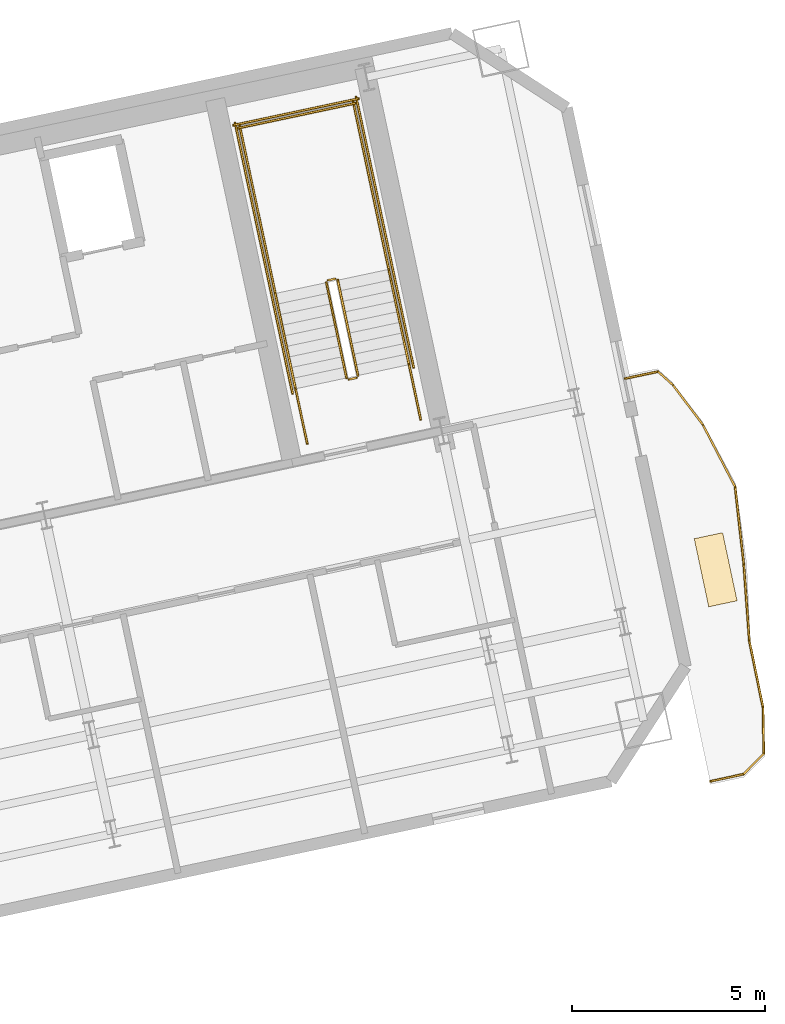
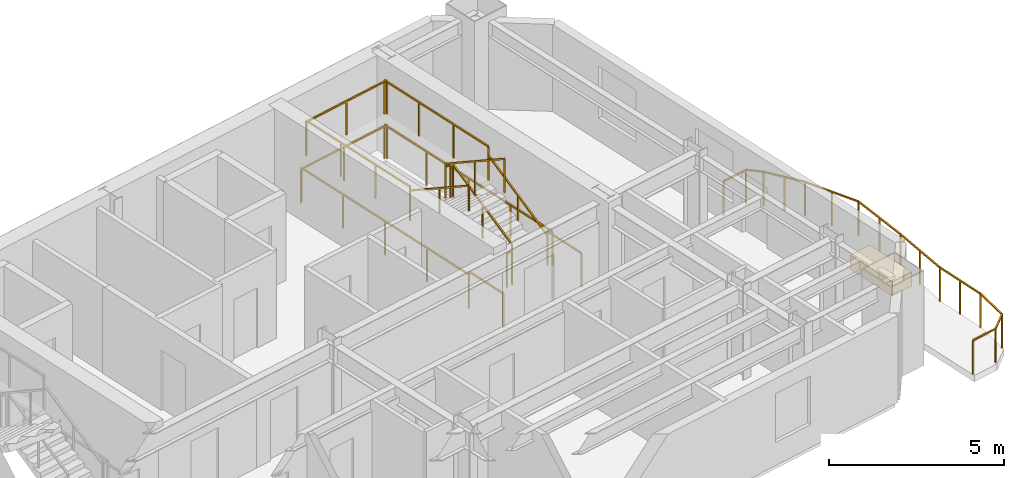
# One storey, part 13 of 13: 24 railings, 1 covering.
"""IFC4 building model written with IfcOpenShell, lengths in metres."""

from ifc_helpers import new_model, si_unit, direction, frame, origin, origin_2d, place, context, subcontext, project, spatial, rectangle, extrude, material, layer, layer_set, type_object, element, save


model = new_model("IFC4")

# Units and contexts
model_context = context("Model", 3, precision=1e-05, world=origin(), true_north=direction((0.0, 1.0)))
body_context = subcontext(model_context, "Body", "Model", "MODEL_VIEW")
ifc_project = project(units=[si_unit("LENGTHUNIT", "METRE"), si_unit("AREAUNIT", "SQUARE_METRE"), si_unit("VOLUMEUNIT", "CUBIC_METRE"), si_unit("PLANEANGLEUNIT", "RADIAN"), si_unit("MASSUNIT", "GRAM", prefix="KILO")], contexts=[model_context])

# Site, building, storey
site_placement = place(None, origin())
site = spatial("IfcSite", under=ifc_project, at=site_placement, CompositionType="ELEMENT")
building_placement = place(site_placement, origin())
building = spatial("IfcBuilding", under=site, at=building_placement, Name="Haevon Station Towers", CompositionType="ELEMENT")
storey_placement = place(building_placement, frame((0.0, 0.0, 182.39990234375)))
storey = spatial("IfcBuildingStorey", under=building, at=storey_placement, Name="L50", CompositionType="ELEMENT", Elevation=182.39990234375)

# Railings
ifc_material_1 = material(Name="Steel S355", Category="steel")
railing_type_1 = type_object("IfcRailingType", Name="GRD-EXT1200", PredefinedType="GUARDRAIL", material=ifc_material_1)
railing_1_placement = place(storey_placement, frame((126.252197265625, 32.750244140625, 0.0)))
element("IfcRailing", 1, at=railing_1_placement, inside=storey, type_object=railing_type_1, Name="L50 Perimeter Guardrail 1", PredefinedType="GUARDRAIL", context=body_context, shape_type="SweptSolid", body=[
    extrude(rectangle(XDim=0.048095703125, YDim=0.048095703125, at=origin_2d()), frame((0.0, 0.0, 1.17578125), z_axis=(0.977695451476, 0.210027627141, 0.0), x_axis=(-0.210027627141, 0.977695451476, 0.0)), (0.0, 0.0, 1.0), 0.869384765625),
    extrude(rectangle(XDim=0.0419921875, YDim=0.0419921875, at=origin_2d()), origin(), (0.0, 0.0, 1.0), 1.15185546875),
    extrude(rectangle(XDim=0.0419921875, YDim=0.0419921875, at=origin_2d()), frame((0.85009765625, 0.1826171875, 0.0)), (0.0, 0.0, 1.0), 1.15185546875),
])
railing_2_placement = place(storey_placement, frame((127.102294921875, 32.932861328125, 0.0)))
element("IfcRailing", 2, at=railing_2_placement, inside=storey, type_object=railing_type_1, Name="L50 Perimeter Guardrail 2", PredefinedType="GUARDRAIL", context=body_context, shape_type="SweptSolid", body=[
    extrude(rectangle(XDim=0.048095703125, YDim=0.048095703125, at=origin_2d()), frame((0.0, 0.0, 1.17578125), z_axis=(0.700012319638, 0.714130766985, 0.0), x_axis=(-0.714130766985, 0.700012319638, 0.0)), (0.0, 0.0, 1.0), 0.74365234375),
    extrude(rectangle(XDim=0.0419921875, YDim=0.0419921875, at=origin_2d()), origin(), (0.0, 0.0, 1.0), 1.15185546875),
    extrude(rectangle(XDim=0.0419921875, YDim=0.0419921875, at=origin_2d()), frame((0.5205078125, 0.531005859375, 0.0)), (0.0, 0.0, 1.0), 1.15185546875),
])
railing_3_placement = place(storey_placement, frame((127.622802734375, 33.4638671875, 0.0)))
element("IfcRailing", 3, at=railing_3_placement, inside=storey, type_object=railing_type_1, Name="L50 Perimeter Guardrail 3", PredefinedType="GUARDRAIL", context=body_context, shape_type="SweptSolid", body=[
    extrude(rectangle(XDim=0.048095703125, YDim=0.048095703125, at=origin_2d()), frame((0.0, 0.0, 1.17578125), z_axis=(-0.018435710778, 0.999830047842, 0.0), x_axis=(-0.999830047842, -0.018435710778, 0.0)), (0.0, 0.0, 1.0), 1.19189453125),
    extrude(rectangle(XDim=0.0419921875, YDim=0.0419921875, at=origin_2d()), origin(), (0.0, 0.0, 1.0), 1.15185546875),
    extrude(rectangle(XDim=0.0419921875, YDim=0.0419921875, at=origin_2d()), frame((-0.02197265625, 1.191650390625, 0.0)), (0.0, 0.0, 1.0), 1.15185546875),
])
railing_4_placement = place(storey_placement, frame((127.600830078125, 34.655517578125, 0.0)))
element("IfcRailing", 4, at=railing_4_placement, inside=storey, type_object=railing_type_1, Name="L50 Perimeter Guardrail 4", PredefinedType="GUARDRAIL", context=body_context, shape_type="SweptSolid", body=[
    extrude(rectangle(XDim=0.048095703125, YDim=0.048095703125, at=origin_2d()), frame((0.0, 0.0, 1.17578125), z_axis=(-0.20072790539, 0.979647032353, 0.0), x_axis=(-0.979647032353, -0.20072790539, 0.0)), (0.0, 0.0, 1.0), 1.750244140625),
    extrude(rectangle(XDim=0.0419921875, YDim=0.0419921875, at=origin_2d()), origin(), (0.0, 0.0, 1.0), 1.15185546875),
    extrude(rectangle(XDim=0.0419921875, YDim=0.0419921875, at=origin_2d()), frame((-0.17578125, 0.857421875, 0.0)), (0.0, 0.0, 1.0), 1.15185546875),
    extrude(rectangle(XDim=0.0419921875, YDim=0.0419921875, at=origin_2d()), frame((-0.351318359375, 1.714599609375, 0.0)), (0.0, 0.0, 1.0), 1.15185546875),
])
railing_5_placement = place(storey_placement, frame((127.24951171875, 36.3701171875, 0.0)))
element("IfcRailing", 5, at=railing_5_placement, inside=storey, type_object=railing_type_1, Name="L50 Perimeter Guardrail 5", PredefinedType="GUARDRAIL", context=body_context, shape_type="SweptSolid", body=[
    extrude(rectangle(XDim=0.048095703125, YDim=0.048095703125, at=origin_2d()), frame((0.0, 0.0, 1.17578125), z_axis=(-0.072724853204, 0.997352042022, 0.0), x_axis=(-0.997352042022, -0.072724853204, 0.0)), (0.0, 0.0, 1.0), 2.007568359375),
    extrude(rectangle(XDim=0.0419921875, YDim=0.0419921875, at=origin_2d()), origin(), (0.0, 0.0, 1.0), 1.15185546875),
    extrude(rectangle(XDim=0.0419921875, YDim=0.0419921875, at=origin_2d()), frame((-0.072998046875, 1.0009765625, 0.0)), (0.0, 0.0, 1.0), 1.15185546875),
    extrude(rectangle(XDim=0.0419921875, YDim=0.0419921875, at=origin_2d()), frame((-0.14599609375, 2.002197265625, 0.0)), (0.0, 0.0, 1.0), 1.15185546875),
])
railing_6_placement = place(storey_placement, frame((127.103515625, 38.372314453125, 0.0)))
element("IfcRailing", 6, at=railing_6_placement, inside=storey, type_object=railing_type_1, Name="L50 Perimeter Guardrail 6", PredefinedType="GUARDRAIL", context=body_context, shape_type="SweptSolid", body=[
    extrude(rectangle(XDim=0.048095703125, YDim=0.048095703125, at=origin_2d()), frame((0.0, 0.0, 1.17578125), z_axis=(-0.111367614102, 0.993779278577, 0.0), x_axis=(-0.993779278577, -0.111367614102, 0.0)), (0.0, 0.0, 1.0), 2.003662109375),
    extrude(rectangle(XDim=0.0419921875, YDim=0.0419921875, at=origin_2d()), origin(), (0.0, 0.0, 1.0), 1.15185546875),
    extrude(rectangle(XDim=0.0419921875, YDim=0.0419921875, at=origin_2d()), frame((-0.111572265625, 0.99560546875, 0.0)), (0.0, 0.0, 1.0), 1.15185546875),
    extrude(rectangle(XDim=0.0419921875, YDim=0.0419921875, at=origin_2d()), frame((-0.22314453125, 1.9912109375, 0.0)), (0.0, 0.0, 1.0), 1.15185546875),
])
railing_7_placement = place(storey_placement, frame((126.88037109375, 40.363525390625, 0.0)))
element("IfcRailing", 7, at=railing_7_placement, inside=storey, type_object=railing_type_1, Name="L50 Perimeter Guardrail 7", PredefinedType="GUARDRAIL", context=body_context, shape_type="SweptSolid", body=[
    extrude(rectangle(XDim=0.048095703125, YDim=0.048095703125, at=origin_2d()), frame((0.0, 0.0, 1.17578125), z_axis=(-0.460864300732, 0.887470617154, 0.0), x_axis=(-0.887470617154, -0.460864300732, 0.0)), (0.0, 0.0, 1.0), 1.81005859375),
    extrude(rectangle(XDim=0.0419921875, YDim=0.0419921875, at=origin_2d()), origin(), (0.0, 0.0, 1.0), 1.15185546875),
    extrude(rectangle(XDim=0.0419921875, YDim=0.0419921875, at=origin_2d()), frame((-0.4169921875, 0.80322265625, 0.0)), (0.0, 0.0, 1.0), 1.15185546875),
    extrude(rectangle(XDim=0.0419921875, YDim=0.0419921875, at=origin_2d()), frame((-0.834228515625, 1.6064453125, 0.0)), (0.0, 0.0, 1.0), 1.15185546875),
])
railing_8_placement = place(storey_placement, frame((126.046142578125, 41.969970703125, 0.0)))
element("IfcRailing", 8, at=railing_8_placement, inside=storey, type_object=railing_type_1, Name="L50 Perimeter Guardrail 8", PredefinedType="GUARDRAIL", context=body_context, shape_type="SweptSolid", body=[
    extrude(rectangle(XDim=0.048095703125, YDim=0.048095703125, at=origin_2d()), frame((0.0, 0.0, 1.17578125), z_axis=(-0.602597752791, 0.798045079135, 0.0), x_axis=(-0.798045079135, -0.602597752791, 0.0)), (0.0, 0.0, 1.0), 1.29150390625),
    extrude(rectangle(XDim=0.0419921875, YDim=0.0419921875, at=origin_2d()), origin(), (0.0, 0.0, 1.0), 1.15185546875),
    extrude(rectangle(XDim=0.0419921875, YDim=0.0419921875, at=origin_2d()), frame((-0.38916015625, 0.515380859375, 0.0)), (0.0, 0.0, 1.0), 1.15185546875),
    extrude(rectangle(XDim=0.0419921875, YDim=0.0419921875, at=origin_2d()), frame((-0.7783203125, 1.03076171875, 0.0)), (0.0, 0.0, 1.0), 1.15185546875),
])
railing_9_placement = place(storey_placement, frame((125.267822265625, 43.000732421875, 0.0)))
element("IfcRailing", 9, at=railing_9_placement, inside=storey, type_object=railing_type_1, Name="L50 Perimeter Guardrail 9", PredefinedType="GUARDRAIL", context=body_context, shape_type="SweptSolid", body=[
    extrude(rectangle(XDim=0.048095703125, YDim=0.048095703125, at=origin_2d()), frame((0.0, 0.0, 1.17578125), z_axis=(-0.743126923653, 0.669150487814, 0.0), x_axis=(-0.669150487814, -0.743126923653, 0.0)), (0.0, 0.0, 1.0), 0.50830078125),
    extrude(rectangle(XDim=0.0419921875, YDim=0.0419921875, at=origin_2d()), origin(), (0.0, 0.0, 1.0), 1.15185546875),
    extrude(rectangle(XDim=0.0419921875, YDim=0.0419921875, at=origin_2d()), frame((-0.377685546875, 0.340087890625, 0.0)), (0.0, 0.0, 1.0), 1.15185546875),
])
railing_10_placement = place(storey_placement, frame((124.89013671875, 43.3408203125, 0.0)))
element("IfcRailing", 10, at=railing_10_placement, inside=storey, type_object=railing_type_1, Name="L50 Perimeter Guardrail 10", PredefinedType="GUARDRAIL", context=body_context, shape_type="SweptSolid", body=[
    extrude(rectangle(XDim=0.048095703125, YDim=0.048095703125, at=origin_2d()), frame((0.0, 0.0, 1.17578125), z_axis=(-0.978588498747, -0.205826504901, 0.0), x_axis=(0.205826504901, -0.978588498747, 0.0)), (0.0, 0.0, 1.0), 0.869384765625),
    extrude(rectangle(XDim=0.0419921875, YDim=0.0419921875, at=origin_2d()), origin(), (0.0, 0.0, 1.0), 1.15185546875),
    extrude(rectangle(XDim=0.0419921875, YDim=0.0419921875, at=origin_2d()), frame((-0.850830078125, -0.178955078125, 0.0)), (0.0, 0.0, 1.0), 1.15185546875),
])
railing_type_2 = type_object("IfcRailingType", Name="GRD-STR1200", PredefinedType="GUARDRAIL", material=ifc_material_1)
railing_11_placement = place(storey_placement, frame((117.128662109375, 43.23974609375, 0.1650390625)))
element("IfcRailing", 11, at=railing_11_placement, inside=storey, type_object=railing_type_2, Name="L50 ST4 Stair Guard 1", PredefinedType="GUARDRAIL", context=body_context, shape_type="SweptSolid", body=[
    extrude(rectangle(XDim=0.048095703125, YDim=0.048095703125, at=origin_2d()), frame((0.0, 0.0, 1.17578125), z_axis=(-0.179121265225, 0.842687928106, 0.507732831485), x_axis=(-0.978147030254, -0.207914374695, 0.0)), (0.0, 0.0, 1.0), 2.925048828125),
    extrude(rectangle(XDim=0.0419921875, YDim=0.0419921875, at=origin_2d()), origin(), (0.0, 0.0, 1.0), 1.15185546875),
    extrude(rectangle(XDim=0.0419921875, YDim=0.0419921875, at=origin_2d()), frame((-0.261962890625, 1.232421875, 0.74267578125)), (0.0, 0.0, 1.0), 1.15185546875),
    extrude(rectangle(XDim=0.0419921875, YDim=0.0419921875, at=origin_2d()), frame((-0.52392578125, 2.46484375, 1.485107421875)), (0.0, 0.0, 1.0), 1.15185546875),
])
railing_12_placement = place(storey_placement, frame((116.54541015625, 45.7431640625, 1.650146484375)))
element("IfcRailing", 12, at=railing_12_placement, inside=storey, type_object=railing_type_2, Name="L50 ST4 Stair Guard 2", PredefinedType="GUARDRAIL", context=body_context, shape_type="SweptSolid", body=[
    extrude(rectangle(XDim=0.048095703125, YDim=0.048095703125, at=origin_2d()), frame((0.0, 0.0, 1.17578125), z_axis=(-0.97826412705, -0.207362720198, 0.0), x_axis=(0.207362720198, -0.97826412705, 0.0)), (0.0, 0.0, 1.0), 0.2001953125),
    extrude(rectangle(XDim=0.0419921875, YDim=0.0419921875, at=origin_2d()), origin(), (0.0, 0.0, 1.0), 1.15185546875),
    extrude(rectangle(XDim=0.0419921875, YDim=0.0419921875, at=origin_2d()), frame((-0.19580078125, -0.04150390625, 0.0)), (0.0, 0.0, 1.0), 1.15185546875),
])
railing_13_placement = place(storey_placement, frame((117.925048828125, 45.9853515625, 1.650146484375)))
element("IfcRailing", 13, at=railing_13_placement, inside=storey, type_object=railing_type_2, Name="L50 ST4 Stair Guard 3", PredefinedType="GUARDRAIL", context=body_context, shape_type="SweptSolid", body=[
    extrude(rectangle(XDim=0.048095703125, YDim=0.048095703125, at=origin_2d()), frame((0.0, 0.0, 1.17578125), z_axis=(-0.207876551949, 0.978155069071, 0.0), x_axis=(-0.978155069071, -0.207876551949, 0.0)), (0.0, 0.0, 1.0), 4.429931640625),
    extrude(rectangle(XDim=0.0419921875, YDim=0.0419921875, at=origin_2d()), origin(), (0.0, 0.0, 1.0), 1.15185546875),
    extrude(rectangle(XDim=0.0419921875, YDim=0.0419921875, at=origin_2d()), frame((-0.306884765625, 1.4443359375, 0.0)), (0.0, 0.0, 1.0), 1.15185546875),
    extrude(rectangle(XDim=0.0419921875, YDim=0.0419921875, at=origin_2d()), frame((-0.614013671875, 2.888916015625, 0.0)), (0.0, 0.0, 1.0), 1.15185546875),
    extrude(rectangle(XDim=0.0419921875, YDim=0.0419921875, at=origin_2d()), frame((-0.9208984375, 4.333251953125, 0.0)), (0.0, 0.0, 1.0), 1.15185546875),
])
railing_14_placement = place(storey_placement, frame((114.99072265625, 45.361572265625, 1.650146484375)))
element("IfcRailing", 14, at=railing_14_placement, inside=storey, type_object=railing_type_2, Name="L50 ST4 Stair Guard 4", PredefinedType="GUARDRAIL", context=body_context, shape_type="SweptSolid", body=[
    extrude(rectangle(XDim=0.048095703125, YDim=0.048095703125, at=origin_2d()), frame((0.0, 0.0, 1.17578125), z_axis=(-0.207929280007, 0.978143861871, 0.0), x_axis=(-0.978143861871, -0.207929280007, 0.0)), (0.0, 0.0, 1.0), 4.43017578125),
    extrude(rectangle(XDim=0.0419921875, YDim=0.0419921875, at=origin_2d()), origin(), (0.0, 0.0, 1.0), 1.15185546875),
    extrude(rectangle(XDim=0.0419921875, YDim=0.0419921875, at=origin_2d()), frame((-0.30712890625, 1.4443359375, 0.0)), (0.0, 0.0, 1.0), 1.15185546875),
    extrude(rectangle(XDim=0.0419921875, YDim=0.0419921875, at=origin_2d()), frame((-0.614013671875, 2.888916015625, 0.0)), (0.0, 0.0, 1.0), 1.15185546875),
    extrude(rectangle(XDim=0.0419921875, YDim=0.0419921875, at=origin_2d()), frame((-0.921142578125, 4.333251953125, 0.0)), (0.0, 0.0, 1.0), 1.15185546875),
])
railing_15_placement = place(storey_placement, frame((117.0634765625, 50.280029296875, 1.650146484375)))
element("IfcRailing", 15, at=railing_15_placement, inside=storey, type_object=railing_type_2, Name="L50 ST4 Stair Guard 5", PredefinedType="GUARDRAIL", context=body_context, shape_type="SweptSolid", body=[
    extrude(rectangle(XDim=0.048095703125, YDim=0.048095703125, at=origin_2d()), frame((0.0, 0.0, 1.17578125), z_axis=(-0.978146839882, -0.207915270313, 0.0), x_axis=(0.207915270313, -0.978146839882, 0.0)), (0.0, 0.0, 1.0), 3.099853515625),
    extrude(rectangle(XDim=0.0419921875, YDim=0.0419921875, at=origin_2d()), origin(), (0.0, 0.0, 1.0), 1.15185546875),
    extrude(rectangle(XDim=0.0419921875, YDim=0.0419921875, at=origin_2d()), frame((-1.51611328125, -0.322265625, 0.0)), (0.0, 0.0, 1.0), 1.15185546875),
    extrude(rectangle(XDim=0.0419921875, YDim=0.0419921875, at=origin_2d()), frame((-3.0322265625, -0.64453125, 0.0)), (0.0, 0.0, 1.0), 1.15185546875),
])
railing_16_placement = place(storey_placement, frame((116.311279296875, 45.642333984375, 1.815185546875)))
element("IfcRailing", 16, at=railing_16_placement, inside=storey, type_object=railing_type_2, Name="L50 ST4 Stair Guard 6", PredefinedType="GUARDRAIL", context=body_context, shape_type="SweptSolid", body=[
    extrude(rectangle(XDim=0.048095703125, YDim=0.048095703125, at=origin_2d()), frame((0.0, 0.0, 1.17578125), z_axis=(0.179116256339, -0.842747828638, 0.507635168246), x_axis=(0.978151217824, 0.207894673017, 0.0)), (0.0, 0.0, 1.0), 2.925048828125),
    extrude(rectangle(XDim=0.0419921875, YDim=0.0419921875, at=origin_2d()), origin(), (0.0, 0.0, 1.0), 1.15185546875),
    extrude(rectangle(XDim=0.0419921875, YDim=0.0419921875, at=origin_2d()), frame((0.261962890625, -1.232421875, 0.742431640625)), (0.0, 0.0, 1.0), 1.15185546875),
    extrude(rectangle(XDim=0.0419921875, YDim=0.0419921875, at=origin_2d()), frame((0.52392578125, -2.465087890625, 1.48486328125)), (0.0, 0.0, 1.0), 1.15185546875),
])
railing_17_placement = place(storey_placement, frame((117.090087890625, 43.180419921875, 0.0)))
element("IfcRailing", 17, at=railing_17_placement, inside=storey, type_object=railing_type_2, Name="L50 ST4 Stair Guard 7", PredefinedType="GUARDRAIL", context=body_context, shape_type="SweptSolid", body=[
    extrude(rectangle(XDim=0.048095703125, YDim=0.048095703125, at=origin_2d()), frame((0.0, 0.0, 1.17578125), z_axis=(-0.978211583308, -0.207610448392, 0.0), x_axis=(0.207610448392, -0.978211583308, 0.0)), (0.0, 0.0, 1.0), 0.199951171875),
    extrude(rectangle(XDim=0.0419921875, YDim=0.0419921875, at=origin_2d()), origin(), (0.0, 0.0, 1.0), 1.15185546875),
    extrude(rectangle(XDim=0.0419921875, YDim=0.0419921875, at=origin_2d()), frame((-0.195556640625, -0.04150390625, 0.0)), (0.0, 0.0, 1.0), 1.15185546875),
])
for number, where, name in (
    (18, (118.75048828125, 42.10205078125, 0.0), "L50 ST4 Stair Guard 8"),
    (19, (115.816162109375, 41.478271484375, 0.0), "L50 ST4 Stair Guard 9"),
):
    element("IfcRailing", number, at=place(storey_placement, frame(where)), inside=storey, type_object=railing_type_2, Name=name, PredefinedType="GUARDRAIL", context=body_context, shape_type="SweptSolid", body=[
        extrude(rectangle(XDim=0.048095703125, YDim=0.048095703125, at=origin_2d()), frame((0.0, 0.0, 1.17578125), z_axis=(-0.207919161079, 0.978146012851, 0.0), x_axis=(-0.978146012851, -0.207919161079, 0.0)), (0.0, 0.0, 1.0), 1.4501953125),
        extrude(rectangle(XDim=0.0419921875, YDim=0.0419921875, at=origin_2d()), origin(), (0.0, 0.0, 1.0), 1.15185546875),
        extrude(rectangle(XDim=0.0419921875, YDim=0.0419921875, at=origin_2d()), frame((-0.301513671875, 1.41845703125, 0.0)), (0.0, 0.0, 1.0), 1.15185546875),
    ])
railing_18_placement = place(storey_placement, frame((118.567626953125, 43.443359375, 0.0)))
element("IfcRailing", 20, at=railing_18_placement, inside=storey, type_object=railing_type_2, Name="L50 ST4 Stair Guard 10", PredefinedType="GUARDRAIL", context=body_context, shape_type="SweptSolid", body=[
    extrude(rectangle(XDim=0.048095703125, YDim=0.048095703125, at=origin_2d()), frame((0.0, 0.0, 1.17578125), z_axis=(-0.207908168386, 0.978148349443, 0.0), x_axis=(-0.978148349443, -0.207908168386, 0.0)), (0.0, 0.0, 1.0), 7.150146484375),
    extrude(rectangle(XDim=0.0419921875, YDim=0.0419921875, at=origin_2d()), origin(), (0.0, 0.0, 1.0), 1.15185546875),
    extrude(rectangle(XDim=0.0419921875, YDim=0.0419921875, at=origin_2d()), frame((-0.37158203125, 1.74853515625, 0.0)), (0.0, 0.0, 1.0), 1.15185546875),
    extrude(rectangle(XDim=0.0419921875, YDim=0.0419921875, at=origin_2d()), frame((-0.7431640625, 3.4970703125, 0.0)), (0.0, 0.0, 1.0), 1.15185546875),
    extrude(rectangle(XDim=0.0419921875, YDim=0.0419921875, at=origin_2d()), frame((-1.114990234375, 5.245361328125, 0.0)), (0.0, 0.0, 1.0), 1.15185546875),
    extrude(rectangle(XDim=0.0419921875, YDim=0.0419921875, at=origin_2d()), frame((-1.486572265625, 6.993896484375, 0.0)), (0.0, 0.0, 1.0), 1.15185546875),
])
railing_19_placement = place(storey_placement, frame((115.4375, 42.778076171875, 0.0)))
element("IfcRailing", 21, at=railing_19_placement, inside=storey, type_object=railing_type_2, Name="L50 ST4 Stair Guard 11", PredefinedType="GUARDRAIL", context=body_context, shape_type="SweptSolid", body=[
    extrude(rectangle(XDim=0.048095703125, YDim=0.048095703125, at=origin_2d()), frame((0.0, 0.0, 1.17578125), z_axis=(-0.207882442208, 0.978153817261, 0.0), x_axis=(-0.978153817261, -0.207882442208, 0.0)), (0.0, 0.0, 1.0), 7.14990234375),
    extrude(rectangle(XDim=0.0419921875, YDim=0.0419921875, at=origin_2d()), origin(), (0.0, 0.0, 1.0), 1.15185546875),
    extrude(rectangle(XDim=0.0419921875, YDim=0.0419921875, at=origin_2d()), frame((-0.37158203125, 1.74853515625, 0.0)), (0.0, 0.0, 1.0), 1.15185546875),
    extrude(rectangle(XDim=0.0419921875, YDim=0.0419921875, at=origin_2d()), frame((-0.7431640625, 3.496826171875, 0.0)), (0.0, 0.0, 1.0), 1.15185546875),
    extrude(rectangle(XDim=0.0419921875, YDim=0.0419921875, at=origin_2d()), frame((-1.11474609375, 5.2451171875, 0.0)), (0.0, 0.0, 1.0), 1.15185546875),
    extrude(rectangle(XDim=0.0419921875, YDim=0.0419921875, at=origin_2d()), frame((-1.486328125, 6.99365234375, 0.0)), (0.0, 0.0, 1.0), 1.15185546875),
])
railing_20_placement = place(storey_placement, frame((117.140380859375, 50.398681640625, 0.0)))
element("IfcRailing", 22, at=railing_20_placement, inside=storey, type_object=railing_type_2, Name="L50 ST4 Stair Guard 12", PredefinedType="GUARDRAIL", context=body_context, shape_type="SweptSolid", body=[
    extrude(rectangle(XDim=0.048095703125, YDim=0.048095703125, at=origin_2d()), frame((0.0, 0.0, 1.17578125), z_axis=(-0.978135717418, -0.207967589567, 0.0), x_axis=(0.207967589567, -0.978135717418, 0.0)), (0.0, 0.0, 1.0), 3.300048828125),
    extrude(rectangle(XDim=0.0419921875, YDim=0.0419921875, at=origin_2d()), origin(), (0.0, 0.0, 1.0), 1.15185546875),
    extrude(rectangle(XDim=0.0419921875, YDim=0.0419921875, at=origin_2d()), frame((-1.61376953125, -0.34326171875, 0.0)), (0.0, 0.0, 1.0), 1.15185546875),
    extrude(rectangle(XDim=0.0419921875, YDim=0.0419921875, at=origin_2d()), frame((-3.227783203125, -0.686279296875, 0.0)), (0.0, 0.0, 1.0), 1.15185546875),
])
railing_type_3 = type_object("IfcRailingType", Name="HND-STR900", PredefinedType="HANDRAIL", material=ifc_material_1)
railing_21_placement = place(storey_placement, frame((118.448974609375, 43.5205078125, 0.1650390625)))
element("IfcRailing", 23, at=railing_21_placement, inside=storey, type_object=railing_type_3, Name="L50 ST4 Stair Handrail 1", PredefinedType="HANDRAIL", context=body_context, shape_type="SweptSolid", body=[
    extrude(rectangle(XDim=0.048095703125, YDim=0.048095703125, at=origin_2d()), frame((0.0, 0.0, 0.8759765625), z_axis=(-0.179121265225, 0.842687928106, 0.507732831485), x_axis=(-0.978147030254, -0.207914374695, 0.0)), (0.0, 0.0, 1.0), 2.925048828125),
    extrude(rectangle(XDim=0.0419921875, YDim=0.0419921875, at=origin_2d()), origin(), (0.0, 0.0, 1.0), 0.851806640625),
    extrude(rectangle(XDim=0.0419921875, YDim=0.0419921875, at=origin_2d()), frame((-0.261962890625, 1.232421875, 0.74267578125)), (0.0, 0.0, 1.0), 0.851806640625),
    extrude(rectangle(XDim=0.0419921875, YDim=0.0419921875, at=origin_2d()), frame((-0.52392578125, 2.46484375, 1.485107421875)), (0.0, 0.0, 1.0), 0.851806640625),
])
railing_22_placement = place(storey_placement, frame((114.99072265625, 45.361572265625, 1.815185546875)))
element("IfcRailing", 24, at=railing_22_placement, inside=storey, type_object=railing_type_3, Name="L50 ST4 Stair Handrail 2", PredefinedType="HANDRAIL", context=body_context, shape_type="SweptSolid", body=[
    extrude(rectangle(XDim=0.048095703125, YDim=0.048095703125, at=origin_2d()), frame((0.0, 0.0, 0.8759765625), z_axis=(0.179128856099, -0.842723639875, 0.507670877349), x_axis=(0.978147030254, 0.207914374695, 0.0)), (0.0, 0.0, 1.0), 2.9248046875),
    extrude(rectangle(XDim=0.0419921875, YDim=0.0419921875, at=origin_2d()), origin(), (0.0, 0.0, 1.0), 0.851806640625),
    extrude(rectangle(XDim=0.0419921875, YDim=0.0419921875, at=origin_2d()), frame((0.261962890625, -1.232421875, 0.742431640625)), (0.0, 0.0, 1.0), 0.851806640625),
    extrude(rectangle(XDim=0.0419921875, YDim=0.0419921875, at=origin_2d()), frame((0.52392578125, -2.46484375, 1.48486328125)), (0.0, 0.0, 1.0), 0.851806640625),
])

# Covering
ifc_material_2 = material(Name="Architectural planter GRC", Category="concrete")
ifc_layer = layer(ifc_material_2, 0.550048828125)
ifc_layer_set = layer_set([ifc_layer], Name="Architectural planter GRC")
covering_type = type_object("IfcCoveringType", Name="PLN-GRC550", PredefinedType="MOLDING", material=ifc_layer_set)
covering_placement = place(storey_placement, frame((126.378173828125, 38.218017578125, 0.0), z_axis=(0.0, 0.0, 1.0), x_axis=(0.978147600734, 0.207911690818, 0.0)))
element("IfcCovering", 25, at=covering_placement, inside=storey, type_object=covering_type, Name="Tower 2 L50 Scalloped Balcony PLANTER", PredefinedType="MOLDING", context=body_context, shape_type="SweptSolid", body=[
    extrude(rectangle(XDim=0.75, YDim=1.800048828125, at=origin_2d()), origin(), (0.0, 0.0, 1.0), 0.5),
])

save(model, "model.ifc")
